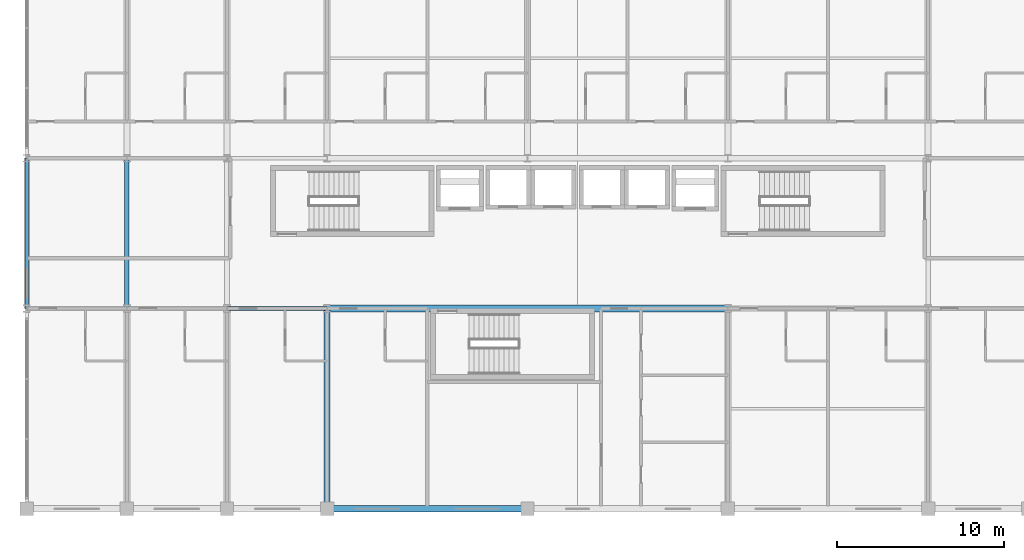
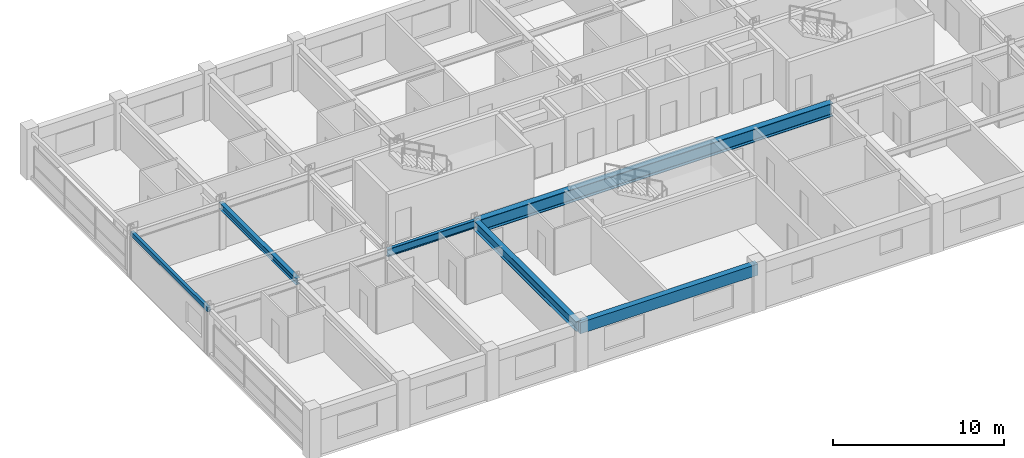
# One storey, part 5 of 26: 6 beams.
"""IFC4 building model written with IfcOpenShell, lengths in metres."""

from ifc_helpers import new_model, si_unit, direction, frame, origin, origin_2d, place, context, subcontext, project, spatial, rectangle, hollow_rectangle, i_section, extrude, material, material_profile, profile_set, type_object, element, save


model = new_model("IFC4")

# Units and contexts
model_context = context("Model", 3, precision=1e-05, world=origin(), true_north=direction((0.0, 1.0)))
body_context = subcontext(model_context, "Body", "Model", "MODEL_VIEW")
ifc_project = project(units=[si_unit("LENGTHUNIT", "METRE"), si_unit("AREAUNIT", "SQUARE_METRE"), si_unit("VOLUMEUNIT", "CUBIC_METRE"), si_unit("PLANEANGLEUNIT", "RADIAN"), si_unit("MASSUNIT", "GRAM", prefix="KILO")], contexts=[model_context])

# Site, building, storey
site_placement = place(None, origin())
site = spatial("IfcSite", under=ifc_project, at=site_placement, CompositionType="ELEMENT")
building_placement = place(site_placement, origin())
building = spatial("IfcBuilding", under=site, at=building_placement, Name="Kaldorvane Square Convention Centre", CompositionType="ELEMENT")
storey_placement = place(building_placement, frame((0.0, 0.0, 42.0)))
storey = spatial("IfcBuildingStorey", under=building, at=storey_placement, Name="L09", CompositionType="ELEMENT", Elevation=42.0)

# Beams
ifc_material_1 = material(Name="Steel ASTM A992 Gr. 50", Category="steel")
ifc_material_profile_1 = material_profile(ifc_material_1, i_section(OverallWidth=0.213897705078125, OverallDepth=0.549102783203125, WebThickness=0.0146942138671875, FlangeThickness=0.0236053466796875, FilletRadius=0.0126953125, at=origin_2d()), Name="W21X93")
ifc_profile_set_1 = profile_set([ifc_material_profile_1], Name="Steel ASTM A992 Gr. 50")
beam_type_1 = type_object("IfcBeamType", Name="BM-GR-W21X93", PredefinedType="BEAM", material=ifc_profile_set_1)
beam_1_placement = place(storey_placement, frame((36.0, 96.0, 3.011505126953125), z_axis=(1.0, 0.0, 0.0), x_axis=(0.0, 1.0, 0.0)))
element("IfcBeam", 1, at=beam_1_placement, inside=storey, type_object=beam_type_1, Name="Primary Girder (L09)", PredefinedType="BEAM", context=body_context, shape_type="SweptSolid", body=[
    extrude(i_section(OverallWidth=0.213897705078125, OverallDepth=0.549102783203125, WebThickness=0.0146942138671875, FlangeThickness=0.0236053466796875, FilletRadius=0.0126953125, at=origin_2d()), origin(), (0.0, 0.0, 1.0), 6.0),
])
ifc_material_profile_2 = material_profile(ifc_material_1, i_section(OverallWidth=0.354705810546875, OverallDepth=0.69549560546875, WebThickness=0.0153961181640625, FlangeThickness=0.0251007080078125, FilletRadius=0.01519775390625, at=origin_2d()), Name="W27X146")
ifc_profile_set_2 = profile_set([ifc_material_profile_2], Name="Steel ASTM A992 Gr. 50")
beam_type_2 = type_object("IfcBeamType", Name="BM-GR-W27X146", PredefinedType="BEAM", material=ifc_profile_set_2)
beam_2_placement = place(storey_placement, frame((42.0, 84.0, 2.93829345703125), z_axis=(0.0, 1.0, 0.0), x_axis=(-1.0, 0.0, 0.0)))
element("IfcBeam", 2, at=beam_2_placement, inside=storey, type_object=beam_type_2, Name="Transverse Girder (L09)", PredefinedType="BEAM", context=body_context, shape_type="SweptSolid", body=[
    extrude(i_section(OverallWidth=0.354705810546875, OverallDepth=0.69549560546875, WebThickness=0.0153961181640625, FlangeThickness=0.0251007080078125, FilletRadius=0.01519775390625, at=origin_2d()), origin(), (0.0, 0.0, 1.0), 12.0),
])
ifc_material_profile_3 = material_profile(ifc_material_1, i_section(OverallWidth=0.418304443359375, OverallDepth=0.926605224609375, WebThickness=0.0193023681640625, FlangeThickness=0.0319976806640625, FilletRadius=0.0240936279296875, at=origin_2d()), Name="W36X231")
ifc_profile_set_3 = profile_set([ifc_material_profile_3], Name="Steel ASTM A992 Gr. 50")
beam_type_3 = type_object("IfcBeamType", Name="BM-GR-W36X231", PredefinedType="BEAM", material=ifc_profile_set_3)
beam_3_placement = place(storey_placement, frame((42.0, 96.0, 2.82269287109375), z_axis=(1.0, 0.0, 0.0), x_axis=(0.0, 1.0, 0.0)))
element("IfcBeam", 3, at=beam_3_placement, inside=storey, type_object=beam_type_3, Name="Primary Girder (L09)", PredefinedType="BEAM", context=body_context, shape_type="SweptSolid", body=[
    extrude(i_section(OverallWidth=0.418304443359375, OverallDepth=0.926605224609375, WebThickness=0.0193023681640625, FlangeThickness=0.0319976806640625, FilletRadius=0.0240936279296875, at=origin_2d()), origin(), (0.0, 0.0, 1.0), 24.0),
])
ifc_material_profile_4 = material_profile(ifc_material_1, i_section(OverallWidth=0.2799072265625, OverallDepth=0.462799072265625, WebThickness=0.01080322265625, FlangeThickness=0.017303466796875, FilletRadius=0.01019287109375, at=origin_2d()), Name="W18X76")
ifc_profile_set_4 = profile_set([ifc_material_profile_4], Name="Steel ASTM A992 Gr. 50")
beam_type_4 = type_object("IfcBeamType", Name="BM-JS-W18X76", PredefinedType="JOIST", material=ifc_profile_set_4)
beam_4_placement = place(storey_placement, frame((30.0, 96.0, 3.054595947265625), z_axis=(0.0, 1.0, 0.0), x_axis=(-1.0, 0.0, 0.0)))
element("IfcBeam", 4, at=beam_4_placement, inside=storey, type_object=beam_type_4, Name="Transverse Girder (L09)", PredefinedType="JOIST", context=body_context, shape_type="SweptSolid", body=[
    extrude(i_section(OverallWidth=0.2799072265625, OverallDepth=0.462799072265625, WebThickness=0.01080322265625, FlangeThickness=0.017303466796875, FilletRadius=0.01019287109375, at=origin_2d()), origin(), (0.0, 0.0, 1.0), 9.0),
])
ifc_material_2 = material(Name="Steel ASTM A500 Gr. C", Category="steel")
ifc_material_profile_5 = material_profile(ifc_material_2, hollow_rectangle(XDim=0.2032012939453125, YDim=0.3047943115234375, WallThickness=0.0088958740234375, at=origin_2d()), Name="HSS12X8X3/8")
ifc_profile_set_5 = profile_set([ifc_material_profile_5], Name="Steel ASTM A500 Gr. C")
beam_type_5 = type_object("IfcBeamType", Name="BM-SP-HSS12", PredefinedType="SPANDREL", material=ifc_profile_set_5)
beam_5_placement = place(storey_placement, frame((24.0, 96.0, 3.13360595703125), z_axis=(0.0, 1.0, 0.0), x_axis=(-1.0, 0.0, 0.0)))
element("IfcBeam", 5, at=beam_5_placement, inside=storey, type_object=beam_type_5, Name="End Spandrel (L09)", PredefinedType="SPANDREL", context=body_context, shape_type="SweptSolid", body=[
    extrude(hollow_rectangle(XDim=0.2032012939453125, YDim=0.3047943115234375, WallThickness=0.0088958740234375, at=origin_2d()), origin(), (0.0, 0.0, 1.0), 9.0),
])
ifc_material_3 = material(Name="Concrete f'c = 42 MPa (Normalweight)", Category="concrete")
ifc_material_profile_6 = material_profile(ifc_material_3, rectangle(XDim=0.399993896484375, YDim=0.8000030517578125, at=origin_2d()), Name="RCSP800X400")
ifc_profile_set_6 = profile_set([ifc_material_profile_6], Name="Concrete f'c = 42 MPa (Normalweight)")
beam_type_6 = type_object("IfcBeamType", Name="BM-SP-RC800", PredefinedType="SPANDREL", material=ifc_profile_set_6)
beam_6_placement = place(storey_placement, frame((42.0, 84.0, 2.8860015869140625), z_axis=(1.0, 0.0, 0.0), x_axis=(0.0, 1.0, 0.0)))
element("IfcBeam", 6, at=beam_6_placement, inside=storey, type_object=beam_type_6, Name="Perimeter Spandrel (L09)", PredefinedType="SPANDREL", context=body_context, shape_type="SweptSolid", body=[
    extrude(rectangle(XDim=0.399993896484375, YDim=0.8000030517578125, at=origin_2d()), origin(), (0.0, 0.0, 1.0), 12.0),
])

save(model, "model.ifc")
